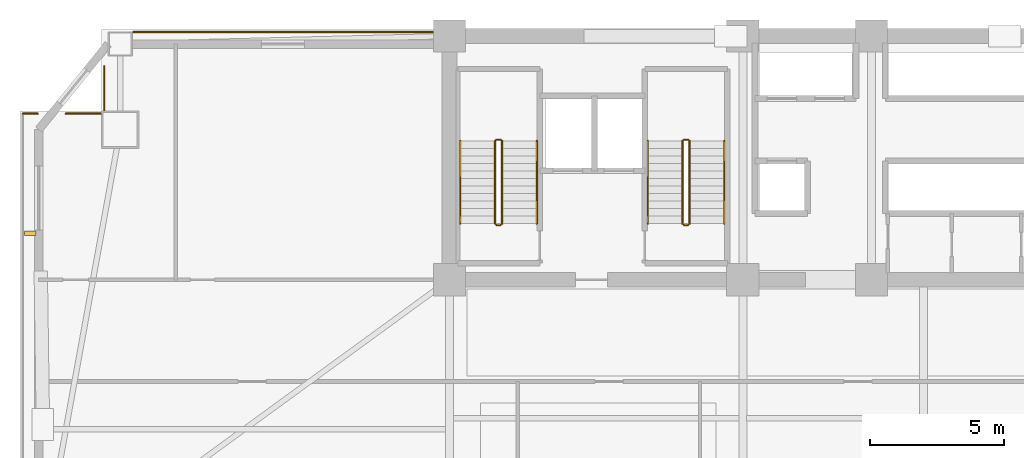
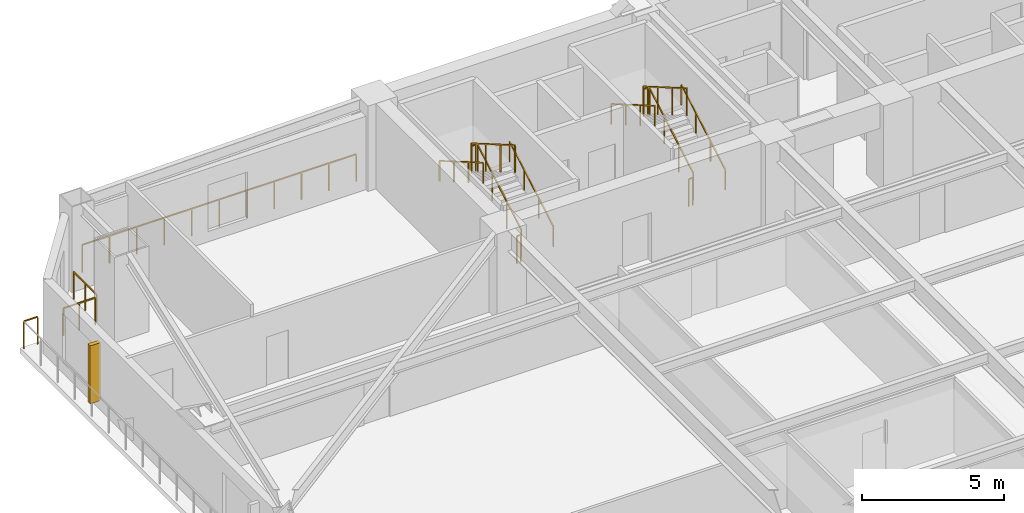
# One storey, part 14 of 15: 16 railings, 1 shading device.
"""IFC4 building model written with IfcOpenShell, lengths in metres."""

from ifc_helpers import new_model, si_unit, direction, frame, origin, origin_2d, place, context, subcontext, project, spatial, rectangle, extrude, source, transform, mapped, material, type_object, element, save


model = new_model("IFC4")

# Units and contexts
model_context = context("Model", 3, precision=1e-05, world=origin(), true_north=direction((0.0, 1.0)))
body_context = subcontext(model_context, "Body", "Model", "MODEL_VIEW")
ifc_project = project(units=[si_unit("LENGTHUNIT", "METRE"), si_unit("AREAUNIT", "SQUARE_METRE"), si_unit("VOLUMEUNIT", "CUBIC_METRE"), si_unit("PLANEANGLEUNIT", "RADIAN"), si_unit("MASSUNIT", "GRAM", prefix="KILO")], contexts=[model_context])

# Site, building, storey
site_placement = place(None, origin())
site = spatial("IfcSite", under=ifc_project, at=site_placement, CompositionType="ELEMENT")
building_placement = place(site_placement, origin())
building = spatial("IfcBuilding", under=site, at=building_placement, Name="Giltprow Tower", CompositionType="ELEMENT")
storey_placement = place(building_placement, frame((0.0, 0.0, 103.60009765625)))
storey = spatial("IfcBuildingStorey", under=building, at=storey_placement, Name="L25", CompositionType="ELEMENT", Elevation=103.60009765625)

# Railings
ifc_material = material(Name="Anodized bronze", Category="metal")
railing_type_1 = type_object("IfcRailingType", Name="RAIL-BALC-GUARD-1200", PredefinedType="BALUSTRADE", material=ifc_material)
railing_1_placement = place(storey_placement, frame((3.909912109375, 43.656005859375, 0.0)))
element("IfcRailing", 1, at=railing_1_placement, inside=storey, type_object=railing_type_1, Name="L25 Corner Apron Edge Balustrade 6", PredefinedType="BALUSTRADE", context=body_context, shape_type="SweptSolid", body=[
    extrude(rectangle(XDim=0.048095703125, YDim=0.048095703125, at=origin_2d()), frame((0.0, 0.0, 1.17578125), z_axis=(1.0, 0.0, 0.0), x_axis=(0.0, 1.0, 0.0)), (0.0, 0.0, 1.0), 0.55908203125),
    extrude(rectangle(XDim=0.0419921875, YDim=0.0419921875, at=origin_2d()), origin(), (0.0, 0.0, 1.0), 1.15185546875),
    extrude(rectangle(XDim=0.0419921875, YDim=0.0419921875, at=origin_2d()), frame((0.55908203125, 0.0, 0.0)), (0.0, 0.0, 1.0), 1.15185546875),
])
railing_2_placement = place(storey_placement, frame((5.52490234375, 43.656005859375, 0.0)))
element("IfcRailing", 2, at=railing_2_placement, inside=storey, type_object=railing_type_1, Name="L25 Corner Apron Edge Balustrade 7", PredefinedType="BALUSTRADE", context=body_context, shape_type="SweptSolid", body=[
    extrude(rectangle(XDim=0.048095703125, YDim=0.048095703125, at=origin_2d()), frame((0.0, 0.0, 1.17578125), z_axis=(1.0, 0.0, 0.0), x_axis=(0.0, 1.0, 0.0)), (0.0, 0.0, 1.0), 1.293212890625),
    extrude(rectangle(XDim=0.0419921875, YDim=0.0419921875, at=origin_2d()), origin(), (0.0, 0.0, 1.0), 1.15185546875),
    extrude(rectangle(XDim=0.0419921875, YDim=0.0419921875, at=origin_2d()), frame((0.646484375, 0.0, 0.0)), (0.0, 0.0, 1.0), 1.15185546875),
    extrude(rectangle(XDim=0.0419921875, YDim=0.0419921875, at=origin_2d()), frame((1.293212890625, 0.0, 0.0)), (0.0, 0.0, 1.0), 1.15185546875),
])
railing_3_placement = place(storey_placement, frame((6.952880859375, 43.791015625, 0.0)))
element("IfcRailing", 3, at=railing_3_placement, inside=storey, type_object=railing_type_1, Name="L25 Corner Apron Edge Balustrade 8", PredefinedType="BALUSTRADE", context=body_context, shape_type="SweptSolid", body=[
    extrude(rectangle(XDim=0.048095703125, YDim=0.048095703125, at=origin_2d()), frame((0.0, 0.0, 1.17578125), z_axis=(0.0, 1.0, 0.0), x_axis=(-1.0, 0.0, 0.0)), (0.0, 0.0, 1.0), 1.6240234375),
    extrude(rectangle(XDim=0.0419921875, YDim=0.0419921875, at=origin_2d()), origin(), (0.0, 0.0, 1.0), 1.15185546875),
    extrude(rectangle(XDim=0.0419921875, YDim=0.0419921875, at=origin_2d()), frame((0.0, 0.81201171875, 0.0)), (0.0, 0.0, 1.0), 1.15185546875),
    extrude(rectangle(XDim=0.0419921875, YDim=0.0419921875, at=origin_2d()), frame((0.0, 1.6240234375, 0.0)), (0.0, 0.0, 1.0), 1.15185546875),
])
railing_4_placement = place(storey_placement, frame((8.0380859375, 46.698974609375, 0.0)))
element("IfcRailing", 4, at=railing_4_placement, inside=storey, type_object=railing_type_1, Name="L25 Corner Apron Edge Balustrade 9", PredefinedType="BALUSTRADE", context=body_context, shape_type="SweptSolid", body=[
    extrude(rectangle(XDim=0.048095703125, YDim=0.048095703125, at=origin_2d()), frame((0.0, 0.0, 1.17578125), z_axis=(1.0, 0.0, 0.0), x_axis=(0.0, 1.0, 0.0)), (0.0, 0.0, 1.0), 11.177001953125),
    extrude(rectangle(XDim=0.0419921875, YDim=0.0419921875, at=origin_2d()), origin(), (0.0, 0.0, 1.0), 1.15185546875),
    extrude(rectangle(XDim=0.0419921875, YDim=0.0419921875, at=origin_2d()), frame((1.11767578125, 0.0, 0.0)), (0.0, 0.0, 1.0), 1.15185546875),
    extrude(rectangle(XDim=0.0419921875, YDim=0.0419921875, at=origin_2d()), frame((2.2353515625, 0.0, 0.0)), (0.0, 0.0, 1.0), 1.15185546875),
    extrude(rectangle(XDim=0.0419921875, YDim=0.0419921875, at=origin_2d()), frame((3.35302734375, 0.0, 0.0)), (0.0, 0.0, 1.0), 1.15185546875),
    extrude(rectangle(XDim=0.0419921875, YDim=0.0419921875, at=origin_2d()), frame((4.470703125, 0.0, 0.0)), (0.0, 0.0, 1.0), 1.15185546875),
    extrude(rectangle(XDim=0.0419921875, YDim=0.0419921875, at=origin_2d()), frame((5.58837890625, 0.0, 0.0)), (0.0, 0.0, 1.0), 1.15185546875),
    extrude(rectangle(XDim=0.0419921875, YDim=0.0419921875, at=origin_2d()), frame((6.706298828125, 0.0, 0.0)), (0.0, 0.0, 1.0), 1.15185546875),
    extrude(rectangle(XDim=0.0419921875, YDim=0.0419921875, at=origin_2d()), frame((7.823974609375, 0.0, 0.0)), (0.0, 0.0, 1.0), 1.15185546875),
    extrude(rectangle(XDim=0.0419921875, YDim=0.0419921875, at=origin_2d()), frame((8.941650390625, 0.0, 0.0)), (0.0, 0.0, 1.0), 1.15185546875),
    extrude(rectangle(XDim=0.0419921875, YDim=0.0419921875, at=origin_2d()), frame((10.059326171875, 0.0, 0.0)), (0.0, 0.0, 1.0), 1.15185546875),
    extrude(rectangle(XDim=0.0419921875, YDim=0.0419921875, at=origin_2d()), frame((11.177001953125, 0.0, 0.0)), (0.0, 0.0, 1.0), 1.15185546875),
])
railing_type_2 = type_object("IfcRailingType", Name="RAIL-STAIR-GUARD-1200", PredefinedType="GUARDRAIL", material=ifc_material)
railing_5_placement = place(storey_placement, frame((21.81005859375, 39.550048828125, 0.162353515625)))
element("IfcRailing", 5, at=railing_5_placement, inside=storey, type_object=railing_type_2, Name="L25 ST-1 stair guard 1", PredefinedType="GUARDRAIL", context=body_context, shape_type="SweptSolid", body=[
    extrude(rectangle(XDim=0.048095703125, YDim=0.048095703125, at=origin_2d()), frame((0.0, 0.0, 1.17578125), z_axis=(0.0, 0.864873446163, 0.501989962173), x_axis=(-1.0, 0.0, 0.0)), (0.0, 0.0, 1.0), 3.56103515625),
    extrude(rectangle(XDim=0.0419921875, YDim=0.0419921875, at=origin_2d()), origin(), (0.0, 0.0, 1.0), 1.15185546875),
    extrude(rectangle(XDim=0.0419921875, YDim=0.0419921875, at=origin_2d()), frame((0.0, 1.026611328125, 0.595947265625)), (0.0, 0.0, 1.0), 1.15185546875),
    extrude(rectangle(XDim=0.0419921875, YDim=0.0419921875, at=origin_2d()), frame((0.0, 2.05322265625, 1.191650390625)), (0.0, 0.0, 1.0), 1.15185546875),
    extrude(rectangle(XDim=0.0419921875, YDim=0.0419921875, at=origin_2d()), frame((0.0, 3.079833984375, 1.78759765625)), (0.0, 0.0, 1.0), 1.15185546875),
])
railing_6_placement = place(storey_placement, frame((21.760009765625, 42.679931640625, 1.949951171875)))
element("IfcRailing", 6, at=railing_6_placement, inside=storey, type_object=railing_type_2, Name="L25 ST-1 stair guard 2", PredefinedType="GUARDRAIL", context=body_context, shape_type="SweptSolid", body=[
    extrude(rectangle(XDim=0.048095703125, YDim=0.048095703125, at=origin_2d()), frame((0.0, 0.0, 1.17578125), z_axis=(-1.0, 0.0, 0.0), x_axis=(0.0, -1.0, 0.0)), (0.0, 0.0, 1.0), 0.159912109375),
    extrude(rectangle(XDim=0.0419921875, YDim=0.0419921875, at=origin_2d()), origin(), (0.0, 0.0, 1.0), 1.15185546875),
    extrude(rectangle(XDim=0.0419921875, YDim=0.0419921875, at=origin_2d()), frame((-0.159912109375, 0.0, 0.0)), (0.0, 0.0, 1.0), 1.15185546875),
])
railing_7_placement = place(storey_placement, frame((21.550048828125, 42.6298828125, 2.1123046875)))
element("IfcRailing", 7, at=railing_7_placement, inside=storey, type_object=railing_type_2, Name="L25 ST-1 stair guard 3", PredefinedType="GUARDRAIL", context=body_context, shape_type="SweptSolid", body=[
    extrude(rectangle(XDim=0.048095703125, YDim=0.048095703125, at=origin_2d()), frame((0.0, 0.0, 1.17578125), z_axis=(0.0, -0.864873446163, 0.501989962173), x_axis=(1.0, 0.0, 0.0)), (0.0, 0.0, 1.0), 3.56103515625),
    extrude(rectangle(XDim=0.0419921875, YDim=0.0419921875, at=origin_2d()), origin(), (0.0, 0.0, 1.0), 1.15185546875),
    extrude(rectangle(XDim=0.0419921875, YDim=0.0419921875, at=origin_2d()), frame((0.0, -1.026611328125, 0.595947265625)), (0.0, 0.0, 1.0), 1.15185546875),
    extrude(rectangle(XDim=0.0419921875, YDim=0.0419921875, at=origin_2d()), frame((0.0, -2.05322265625, 1.191650390625)), (0.0, 0.0, 1.0), 1.15185546875),
    extrude(rectangle(XDim=0.0419921875, YDim=0.0419921875, at=origin_2d()), frame((0.0, -3.079833984375, 1.78759765625)), (0.0, 0.0, 1.0), 1.15185546875),
])
railing_8_placement = place(storey_placement, frame((21.760009765625, 39.5, 0.0)))
element("IfcRailing", 8, at=railing_8_placement, inside=storey, type_object=railing_type_2, Name="L25 ST-1 stair guard 4", PredefinedType="GUARDRAIL", context=body_context, shape_type="SweptSolid", body=[
    extrude(rectangle(XDim=0.048095703125, YDim=0.048095703125, at=origin_2d()), frame((0.0, 0.0, 1.17578125), z_axis=(-1.0, 0.0, 0.0), x_axis=(0.0, -1.0, 0.0)), (0.0, 0.0, 1.0), 0.159912109375),
    extrude(rectangle(XDim=0.0419921875, YDim=0.0419921875, at=origin_2d()), origin(), (0.0, 0.0, 1.0), 1.15185546875),
    extrude(rectangle(XDim=0.0419921875, YDim=0.0419921875, at=origin_2d()), frame((-0.159912109375, 0.0, 0.0)), (0.0, 0.0, 1.0), 1.15185546875),
])
railing_9_placement = place(storey_placement, frame((28.81005859375, 39.550048828125, 0.162353515625)))
element("IfcRailing", 9, at=railing_9_placement, inside=storey, type_object=railing_type_2, Name="L25 ST-2 stair guard 1", PredefinedType="GUARDRAIL", context=body_context, shape_type="SweptSolid", body=[
    extrude(rectangle(XDim=0.048095703125, YDim=0.048095703125, at=origin_2d()), frame((0.0, 0.0, 1.17578125), z_axis=(0.0, 0.864873446163, 0.501989962173), x_axis=(-1.0, 0.0, 0.0)), (0.0, 0.0, 1.0), 3.56103515625),
    extrude(rectangle(XDim=0.0419921875, YDim=0.0419921875, at=origin_2d()), origin(), (0.0, 0.0, 1.0), 1.15185546875),
    extrude(rectangle(XDim=0.0419921875, YDim=0.0419921875, at=origin_2d()), frame((0.0, 1.026611328125, 0.595947265625)), (0.0, 0.0, 1.0), 1.15185546875),
    extrude(rectangle(XDim=0.0419921875, YDim=0.0419921875, at=origin_2d()), frame((0.0, 2.05322265625, 1.191650390625)), (0.0, 0.0, 1.0), 1.15185546875),
    extrude(rectangle(XDim=0.0419921875, YDim=0.0419921875, at=origin_2d()), frame((0.0, 3.079833984375, 1.78759765625)), (0.0, 0.0, 1.0), 1.15185546875),
])
railing_10_placement = place(storey_placement, frame((28.760009765625, 42.679931640625, 1.949951171875)))
element("IfcRailing", 10, at=railing_10_placement, inside=storey, type_object=railing_type_2, Name="L25 ST-2 stair guard 2", PredefinedType="GUARDRAIL", context=body_context, shape_type="SweptSolid", body=[
    extrude(rectangle(XDim=0.048095703125, YDim=0.048095703125, at=origin_2d()), frame((0.0, 0.0, 1.17578125), z_axis=(-1.0, 0.0, 0.0), x_axis=(0.0, -1.0, 0.0)), (0.0, 0.0, 1.0), 0.159912109375),
    extrude(rectangle(XDim=0.0419921875, YDim=0.0419921875, at=origin_2d()), origin(), (0.0, 0.0, 1.0), 1.15185546875),
    extrude(rectangle(XDim=0.0419921875, YDim=0.0419921875, at=origin_2d()), frame((-0.159912109375, 0.0, 0.0)), (0.0, 0.0, 1.0), 1.15185546875),
])
railing_11_placement = place(storey_placement, frame((28.550048828125, 42.6298828125, 2.1123046875)))
element("IfcRailing", 11, at=railing_11_placement, inside=storey, type_object=railing_type_2, Name="L25 ST-2 stair guard 3", PredefinedType="GUARDRAIL", context=body_context, shape_type="SweptSolid", body=[
    extrude(rectangle(XDim=0.048095703125, YDim=0.048095703125, at=origin_2d()), frame((0.0, 0.0, 1.17578125), z_axis=(0.0, -0.864873446163, 0.501989962173), x_axis=(1.0, 0.0, 0.0)), (0.0, 0.0, 1.0), 3.56103515625),
    extrude(rectangle(XDim=0.0419921875, YDim=0.0419921875, at=origin_2d()), origin(), (0.0, 0.0, 1.0), 1.15185546875),
    extrude(rectangle(XDim=0.0419921875, YDim=0.0419921875, at=origin_2d()), frame((0.0, -1.026611328125, 0.595947265625)), (0.0, 0.0, 1.0), 1.15185546875),
    extrude(rectangle(XDim=0.0419921875, YDim=0.0419921875, at=origin_2d()), frame((0.0, -2.05322265625, 1.191650390625)), (0.0, 0.0, 1.0), 1.15185546875),
    extrude(rectangle(XDim=0.0419921875, YDim=0.0419921875, at=origin_2d()), frame((0.0, -3.079833984375, 1.78759765625)), (0.0, 0.0, 1.0), 1.15185546875),
])
railing_12_placement = place(storey_placement, frame((28.760009765625, 39.5, 0.0)))
element("IfcRailing", 12, at=railing_12_placement, inside=storey, type_object=railing_type_2, Name="L25 ST-2 stair guard 4", PredefinedType="GUARDRAIL", context=body_context, shape_type="SweptSolid", body=[
    extrude(rectangle(XDim=0.048095703125, YDim=0.048095703125, at=origin_2d()), frame((0.0, 0.0, 1.17578125), z_axis=(-1.0, 0.0, 0.0), x_axis=(0.0, -1.0, 0.0)), (0.0, 0.0, 1.0), 0.159912109375),
    extrude(rectangle(XDim=0.0419921875, YDim=0.0419921875, at=origin_2d()), origin(), (0.0, 0.0, 1.0), 1.15185546875),
    extrude(rectangle(XDim=0.0419921875, YDim=0.0419921875, at=origin_2d()), frame((-0.159912109375, 0.0, 0.0)), (0.0, 0.0, 1.0), 1.15185546875),
])
railing_type_3 = type_object("IfcRailingType", Name="RAIL-STAIR-HAND-900", PredefinedType="HANDRAIL", material=ifc_material)
railing_13_placement = place(storey_placement, frame((23.110107421875, 39.550048828125, 0.162353515625)))
element("IfcRailing", 13, at=railing_13_placement, inside=storey, type_object=railing_type_3, Name="L25 ST-1 stair handrail 1", PredefinedType="HANDRAIL", context=body_context, shape_type="SweptSolid", body=[
    extrude(rectangle(XDim=0.048095703125, YDim=0.048095703125, at=origin_2d()), frame((0.0, 0.0, 0.8759765625), z_axis=(0.0, 0.864873446163, 0.501989962173), x_axis=(-1.0, 0.0, 0.0)), (0.0, 0.0, 1.0), 3.56103515625),
    extrude(rectangle(XDim=0.0419921875, YDim=0.0419921875, at=origin_2d()), origin(), (0.0, 0.0, 1.0), 0.851806640625),
    extrude(rectangle(XDim=0.0419921875, YDim=0.0419921875, at=origin_2d()), frame((0.0, 1.026611328125, 0.595947265625)), (0.0, 0.0, 1.0), 0.851806640625),
    extrude(rectangle(XDim=0.0419921875, YDim=0.0419921875, at=origin_2d()), frame((0.0, 2.05322265625, 1.191650390625)), (0.0, 0.0, 1.0), 0.851806640625),
    extrude(rectangle(XDim=0.0419921875, YDim=0.0419921875, at=origin_2d()), frame((0.0, 3.079833984375, 1.78759765625)), (0.0, 0.0, 1.0), 0.851806640625),
])
railing_14_placement = place(storey_placement, frame((20.25, 42.6298828125, 2.1123046875)))
element("IfcRailing", 14, at=railing_14_placement, inside=storey, type_object=railing_type_3, Name="L25 ST-1 stair handrail 2", PredefinedType="HANDRAIL", context=body_context, shape_type="SweptSolid", body=[
    extrude(rectangle(XDim=0.048095703125, YDim=0.048095703125, at=origin_2d()), frame((0.0, 0.0, 0.8759765625), z_axis=(0.0, -0.864873446163, 0.501989962173), x_axis=(1.0, 0.0, 0.0)), (0.0, 0.0, 1.0), 3.56103515625),
    extrude(rectangle(XDim=0.0419921875, YDim=0.0419921875, at=origin_2d()), origin(), (0.0, 0.0, 1.0), 0.851806640625),
    extrude(rectangle(XDim=0.0419921875, YDim=0.0419921875, at=origin_2d()), frame((0.0, -1.026611328125, 0.595947265625)), (0.0, 0.0, 1.0), 0.851806640625),
    extrude(rectangle(XDim=0.0419921875, YDim=0.0419921875, at=origin_2d()), frame((0.0, -2.05322265625, 1.191650390625)), (0.0, 0.0, 1.0), 0.851806640625),
    extrude(rectangle(XDim=0.0419921875, YDim=0.0419921875, at=origin_2d()), frame((0.0, -3.079833984375, 1.78759765625)), (0.0, 0.0, 1.0), 0.851806640625),
])
railing_15_placement = place(storey_placement, frame((30.110107421875, 39.550048828125, 0.162353515625)))
element("IfcRailing", 15, at=railing_15_placement, inside=storey, type_object=railing_type_3, Name="L25 ST-2 stair handrail 1", PredefinedType="HANDRAIL", context=body_context, shape_type="SweptSolid", body=[
    extrude(rectangle(XDim=0.048095703125, YDim=0.048095703125, at=origin_2d()), frame((0.0, 0.0, 0.8759765625), z_axis=(0.0, 0.864873446163, 0.501989962173), x_axis=(-1.0, 0.0, 0.0)), (0.0, 0.0, 1.0), 3.56103515625),
    extrude(rectangle(XDim=0.0419921875, YDim=0.0419921875, at=origin_2d()), origin(), (0.0, 0.0, 1.0), 0.851806640625),
    extrude(rectangle(XDim=0.0419921875, YDim=0.0419921875, at=origin_2d()), frame((0.0, 1.026611328125, 0.595947265625)), (0.0, 0.0, 1.0), 0.851806640625),
    extrude(rectangle(XDim=0.0419921875, YDim=0.0419921875, at=origin_2d()), frame((0.0, 2.05322265625, 1.191650390625)), (0.0, 0.0, 1.0), 0.851806640625),
    extrude(rectangle(XDim=0.0419921875, YDim=0.0419921875, at=origin_2d()), frame((0.0, 3.079833984375, 1.78759765625)), (0.0, 0.0, 1.0), 0.851806640625),
])
railing_16_placement = place(storey_placement, frame((27.25, 42.6298828125, 2.1123046875)))
element("IfcRailing", 16, at=railing_16_placement, inside=storey, type_object=railing_type_3, Name="L25 ST-2 stair handrail 2", PredefinedType="HANDRAIL", context=body_context, shape_type="SweptSolid", body=[
    extrude(rectangle(XDim=0.048095703125, YDim=0.048095703125, at=origin_2d()), frame((0.0, 0.0, 0.8759765625), z_axis=(0.0, -0.864873446163, 0.501989962173), x_axis=(1.0, 0.0, 0.0)), (0.0, 0.0, 1.0), 3.56103515625),
    extrude(rectangle(XDim=0.0419921875, YDim=0.0419921875, at=origin_2d()), origin(), (0.0, 0.0, 1.0), 0.851806640625),
    extrude(rectangle(XDim=0.0419921875, YDim=0.0419921875, at=origin_2d()), frame((0.0, -1.026611328125, 0.595947265625)), (0.0, 0.0, 1.0), 0.851806640625),
    extrude(rectangle(XDim=0.0419921875, YDim=0.0419921875, at=origin_2d()), frame((0.0, -2.05322265625, 1.191650390625)), (0.0, 0.0, 1.0), 0.851806640625),
    extrude(rectangle(XDim=0.0419921875, YDim=0.0419921875, at=origin_2d()), frame((0.0, -3.079833984375, 1.78759765625)), (0.0, 0.0, 1.0), 0.851806640625),
])

# Shading device
shading_device_type = type_object("IfcShadingDeviceType", Name="SHD-FIN-420", PredefinedType="USERDEFINED", material=ifc_material)
shared_shape = source(origin(), body_context, "Body", "SweptSolid", [
    extrude(rectangle(XDim=0.419921875, YDim=0.159912109375, at=origin_2d()), origin(), (0.0, 0.0, 1.0), 2.5),
])
shading_device_placement = place(storey_placement, frame((4.18994140625, 39.18408203125, 0.349853515625), z_axis=(0.0, 0.0, 1.0), x_axis=(1.0, 0.0, 0.0)))
element("IfcShadingDevice", 17, at=shading_device_placement, inside=storey, type_object=shading_device_type, Name="L25 W Bronze Vertical Fin 2-2", ObjectType="FIN", PredefinedType="USERDEFINED", context=body_context, shape_type="MappedRepresentation", body=[
    mapped(shared_shape, transform((0.0, 0.0, 0.0), x_axis=(1.0, 0.0, 0.0), y_axis=(0.0, 1.0, 0.0), z_axis=(0.0, 0.0, 1.0), scale=1.0)),
])

save(model, "model.ifc")
